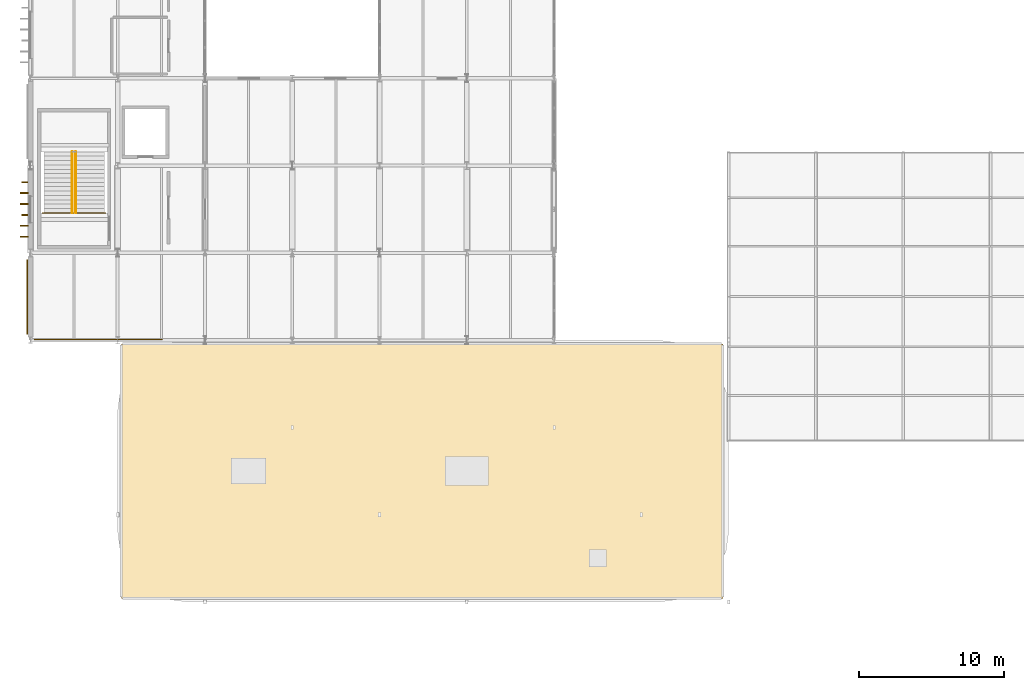
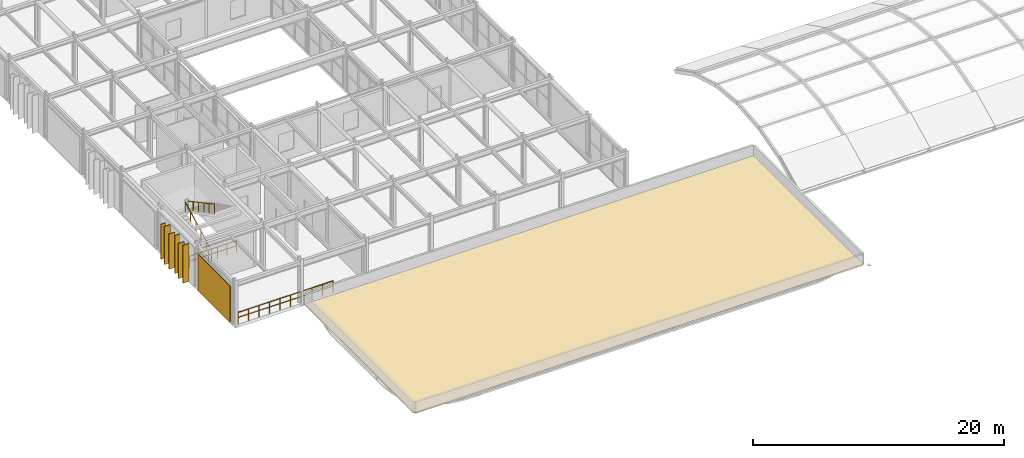
# One storey, part 72 of 84: 7 coverings, 4 railings, 1 shading device.
"""IFC4 building model written with IfcOpenShell, lengths in metres."""

from ifc_helpers import new_model, si_unit, direction, frame, origin, origin_2d, place, context, subcontext, project, spatial, polyline, rectangle, circle, outline, extrude, material, layer, layer_set, type_object, element, save


model = new_model("IFC4")

# Units and contexts
model_context = context("Model", 3, precision=1e-05, world=origin(), true_north=direction((0.0, 1.0)))
body_context = subcontext(model_context, "Body", "Model", "MODEL_VIEW")
ifc_project = project(units=[si_unit("LENGTHUNIT", "METRE"), si_unit("AREAUNIT", "SQUARE_METRE"), si_unit("VOLUMEUNIT", "CUBIC_METRE"), si_unit("PLANEANGLEUNIT", "RADIAN"), si_unit("MASSUNIT", "GRAM", prefix="KILO")], contexts=[model_context])

# Site, building, storey
site_placement = place(None, origin())
site = spatial("IfcSite", under=ifc_project, at=site_placement, CompositionType="ELEMENT")
building_placement = place(site_placement, origin())
building = spatial("IfcBuilding", under=site, at=building_placement, Name="Varnakota Square Police Headquarters", CompositionType="ELEMENT")
storey_placement = place(building_placement, frame((0.0, 0.0, 13.5)))
storey = spatial("IfcBuildingStorey", under=building, at=storey_placement, Name="L03", CompositionType="ELEMENT", Elevation=13.5)

# Coverings
ifc_material_1 = material(Name="White Anodised Aluminium Vertical Facade Blade 420", Category="aluminium")
ifc_layer_1 = layer(ifc_material_1, 0.0849609375, Name="White Anodised Aluminium Vertical Facade Blade 420")
ifc_layer_set_1 = layer_set([ifc_layer_1], Name="White Anodised Aluminium Vertical Facade Blade 420")
covering_type_1 = type_object("IfcCoveringType", Name="COV-FIN-420", PredefinedType="CLADDING", material=ifc_layer_set_1)
covering_1_placement = place(storey_placement, frame((5.625, 29.612548828125, 0.0400390625), z_axis=(0.0, 0.0, 1.0), x_axis=(0.0, 1.0, 0.0)))
element("IfcCovering", 1, at=covering_1_placement, inside=storey, type_object=covering_type_1, Name="Vertical aluminium facade fin FIN-0980", PredefinedType="CLADDING", context=body_context, shape_type="SweptSolid", body=[
    extrude(rectangle(XDim=0.0849609375, YDim=0.419921875, at=origin_2d()), origin(), (0.0, 0.0, 1.0), 3.70361328125),
])
covering_2_placement = place(storey_placement, frame((5.625, 31.862548828125, 0.0400390625), z_axis=(0.0, 0.0, 1.0), x_axis=(0.0, 1.0, 0.0)))
element("IfcCovering", 2, at=covering_2_placement, inside=storey, type_object=covering_type_1, Name="Vertical aluminium facade fin FIN-0983", PredefinedType="CLADDING", context=body_context, shape_type="SweptSolid", body=[
    extrude(rectangle(XDim=0.0849609375, YDim=0.419921875, at=origin_2d()), origin(), (0.0, 0.0, 1.0), 3.423583984375),
])
ifc_material_2 = material(Name="White Anodised Aluminium Vertical Facade Blade 550", Category="aluminium")
ifc_layer_2 = layer(ifc_material_2, 0.0849609375, Name="White Anodised Aluminium Vertical Facade Blade 550")
ifc_layer_set_2 = layer_set([ifc_layer_2], Name="White Anodised Aluminium Vertical Facade Blade 550")
covering_type_2 = type_object("IfcCoveringType", Name="COV-FIN-550", PredefinedType="CLADDING", material=ifc_layer_set_2)
covering_3_placement = place(storey_placement, frame((5.56005859375, 28.112548828125, 0.0400390625), z_axis=(0.0, 0.0, 1.0), x_axis=(0.0, 1.0, 0.0)))
element("IfcCovering", 3, at=covering_3_placement, inside=storey, type_object=covering_type_2, Name="Vertical aluminium facade fin FIN-0978", PredefinedType="CLADDING", context=body_context, shape_type="SweptSolid", body=[
    extrude(rectangle(XDim=0.0849609375, YDim=0.550048828125, at=origin_2d()), origin(), (0.0, 0.0, 1.0), 3.70361328125),
])
for number, where, z_axis, x_axis, name in (
    (4, (5.56005859375, 28.862548828125, 0.0400390625), (0.0, 0.0, 1.0), (0.0, 1.0, 0.0), "Vertical aluminium facade fin FIN-0979"),
    (5, (5.56005859375, 30.362548828125, 0.0400390625), (0.0, 0.0, 1.0), (0.0, 1.0, 0.0), "Vertical aluminium facade fin FIN-0981"),
):
    element("IfcCovering", number, at=place(storey_placement, frame(where, z_axis=z_axis, x_axis=x_axis)), inside=storey, type_object=covering_type_2, Name=name, PredefinedType="CLADDING", context=body_context, shape_type="SweptSolid", body=[
        extrude(rectangle(XDim=0.0849609375, YDim=0.550048828125, at=origin_2d()), origin(), (0.0, 0.0, 1.0), 3.423583984375),
    ])
covering_4_placement = place(storey_placement, frame((5.56005859375, 31.112548828125, 0.0400390625), z_axis=(0.0, 0.0, 1.0), x_axis=(0.0, 1.0, 0.0)))
element("IfcCovering", 6, at=covering_4_placement, inside=storey, type_object=covering_type_2, Name="Vertical aluminium facade fin FIN-0982", PredefinedType="CLADDING", context=body_context, shape_type="SweptSolid", body=[
    extrude(rectangle(XDim=0.0849609375, YDim=0.550048828125, at=origin_2d()), origin(), (0.0, 0.0, 1.0), 3.70361328125),
])
ifc_material_3 = material(Name="High-Albedo White TPO Waterproofing Membrane")
ifc_layer_3 = layer(ifc_material_3, 0.0400390625, Name="High-Albedo White TPO Waterproofing Membrane")
ifc_layer_set_3 = layer_set([ifc_layer_3], Name="High-Albedo White TPO Waterproofing Membrane")
covering_type_3 = type_object("IfcCoveringType", Name="COV-RF-MEM", PredefinedType="ROOFING", material=ifc_layer_set_3)
covering_5_placement = place(storey_placement, origin())
element("IfcCovering", 7, at=covering_5_placement, inside=storey, type_object=covering_type_3, Name="Roof waterproofing membrane RF-L03-V4", PredefinedType="ROOFING", context=body_context, shape_type="SweptSolid", body=[
    extrude(outline(polyline([(12.25, 3.25), (53.60009765625, 3.25), (53.60009765625, 20.75), (12.25, 20.75), (12.25, 3.25)])), origin(), (0.0, 0.0, 1.0), 0.0400390625),
])

# Railings
ifc_material_4 = material(Name="Galvanised Powder-Coated Steel Guardrail", Category="steel")
railing_type_1 = type_object("IfcRailingType", Name="RL-BAL-1150", PredefinedType="BALUSTRADE", material=ifc_material_4)
railing_1_placement = place(storey_placement, frame((15.028076171875, 21.050048828125, 0.0)))
element("IfcRailing", 8, at=railing_1_placement, inside=storey, type_object=railing_type_1, Name="Perimeter edge safety guard GD-AUTO-L03-076", PredefinedType="BALUSTRADE", context=body_context, shape_type="SweptSolid", body=[
    extrude(circle(Radius=0.02392578125, at=origin_2d()), frame((0.0, 0.0, 1.1259765625), z_axis=(-1.0, 0.0, 0.0), x_axis=(0.0, -1.0, 0.0)), (0.0, 0.0, 1.0), 8.75927734375),
    extrude(circle(Radius=0.01806640625, at=origin_2d()), frame((0.0, 0.0, 0.63232421875), z_axis=(-1.0, 0.0, 0.0), x_axis=(0.0, -1.0, 0.0)), (0.0, 0.0, 1.0), 8.75927734375),
    extrude(circle(Radius=0.02099609375, at=origin_2d()), origin(), (0.0, 0.0, 1.0), 1.101806640625),
    extrude(circle(Radius=0.02099609375, at=origin_2d()), frame((-0.97314453125, 0.0, 0.0)), (0.0, 0.0, 1.0), 1.101806640625),
    extrude(circle(Radius=0.02099609375, at=origin_2d()), frame((-1.946533203125, 0.0, 0.0)), (0.0, 0.0, 1.0), 1.101806640625),
    extrude(circle(Radius=0.02099609375, at=origin_2d()), frame((-2.919677734375, 0.0, 0.0)), (0.0, 0.0, 1.0), 1.101806640625),
    extrude(circle(Radius=0.02099609375, at=origin_2d()), frame((-3.89306640625, 0.0, 0.0)), (0.0, 0.0, 1.0), 1.101806640625),
    extrude(circle(Radius=0.02099609375, at=origin_2d()), frame((-4.8662109375, 0.0, 0.0)), (0.0, 0.0, 1.0), 1.101806640625),
    extrude(circle(Radius=0.02099609375, at=origin_2d()), frame((-5.839599609375, 0.0, 0.0)), (0.0, 0.0, 1.0), 1.101806640625),
    extrude(circle(Radius=0.02099609375, at=origin_2d()), frame((-6.812744140625, 0.0, 0.0)), (0.0, 0.0, 1.0), 1.101806640625),
    extrude(circle(Radius=0.02099609375, at=origin_2d()), frame((-7.7861328125, 0.0, 0.0)), (0.0, 0.0, 1.0), 1.101806640625),
    extrude(circle(Radius=0.02099609375, at=origin_2d()), frame((-8.75927734375, 0.0, 0.0)), (0.0, 0.0, 1.0), 1.101806640625),
])
ifc_material_5 = material(Name="Brushed Stainless Steel Tubular Handrail", Category="steel")
railing_type_2 = type_object("IfcRailingType", Name="RL-HND-920", PredefinedType="HANDRAIL", material=ifc_material_5)
railing_2_placement = place(storey_placement, frame((8.8798828125, 29.75, 0.0)))
element("IfcRailing", 9, at=railing_2_placement, inside=storey, type_object=railing_type_2, Name="Stair flight handrail HR-L03-049", PredefinedType="HANDRAIL", context=body_context, shape_type="SweptSolid", body=[
    extrude(circle(Radius=0.02392578125, at=origin_2d()), frame((0.0, 0.0, 0.89599609375), z_axis=(0.0, 0.881511956786, 0.472161699043), x_axis=(-1.0, 0.0, 0.0)), (0.0, 0.0, 1.0), 4.765380859375),
    extrude(circle(Radius=0.02099609375, at=origin_2d()), origin(), (0.0, 0.0, 1.0), 0.871826171875),
    extrude(circle(Radius=0.02099609375, at=origin_2d()), frame((0.0, 0.840087890625, 0.449951171875)), (0.0, 0.0, 1.0), 0.871826171875),
    extrude(circle(Radius=0.02099609375, at=origin_2d()), frame((0.0, 1.68017578125, 0.89990234375)), (0.0, 0.0, 1.0), 0.871826171875),
    extrude(circle(Radius=0.02099609375, at=origin_2d()), frame((0.0, 2.5205078125, 1.35009765625)), (0.0, 0.0, 1.0), 0.871826171875),
    extrude(circle(Radius=0.02099609375, at=origin_2d()), frame((0.0, 3.360595703125, 1.800048828125)), (0.0, 0.0, 1.0), 0.871826171875),
    extrude(circle(Radius=0.02099609375, at=origin_2d()), frame((0.0, 4.20068359375, 2.25)), (0.0, 0.0, 1.0), 0.871826171875),
])
railing_3_placement = place(storey_placement, frame((9.1201171875, 33.95068359375, 2.25)))
element("IfcRailing", 10, at=railing_3_placement, inside=storey, type_object=railing_type_2, Name="Stair flight handrail HR-L03-050", PredefinedType="HANDRAIL", context=body_context, shape_type="SweptSolid", body=[
    extrude(circle(Radius=0.02392578125, at=origin_2d()), frame((0.0, 0.0, 0.89599609375), z_axis=(0.0, -0.881511956786, 0.472161699043), x_axis=(1.0, 0.0, 0.0)), (0.0, 0.0, 1.0), 4.765380859375),
    extrude(circle(Radius=0.02099609375, at=origin_2d()), origin(), (0.0, 0.0, 1.0), 0.871826171875),
    extrude(circle(Radius=0.02099609375, at=origin_2d()), frame((0.0, -0.840087890625, 0.449951171875)), (0.0, 0.0, 1.0), 0.871826171875),
    extrude(circle(Radius=0.02099609375, at=origin_2d()), frame((0.0, -1.68017578125, 0.89990234375)), (0.0, 0.0, 1.0), 0.871826171875),
    extrude(circle(Radius=0.02099609375, at=origin_2d()), frame((0.0, -2.5205078125, 1.35009765625)), (0.0, 0.0, 1.0), 0.871826171875),
    extrude(circle(Radius=0.02099609375, at=origin_2d()), frame((0.0, -3.360595703125, 1.800048828125)), (0.0, 0.0, 1.0), 0.871826171875),
    extrude(circle(Radius=0.02099609375, at=origin_2d()), frame((0.0, -4.20068359375, 2.25)), (0.0, 0.0, 1.0), 0.871826171875),
])
ifc_material_6 = material(Name="Laminated Glass and Stainless Steel Balustrade", Category="steel")
railing_type_3 = type_object("IfcRailingType", Name="RL-INT-1150", PredefinedType="BALUSTRADE", material=ifc_material_6)
railing_4_placement = place(storey_placement, frame((6.840087890625, 29.75, 0.0)))
element("IfcRailing", 11, at=railing_4_placement, inside=storey, type_object=railing_type_3, Name="Stair well safety guard C4 L03", PredefinedType="BALUSTRADE", context=body_context, shape_type="SweptSolid", body=[
    extrude(circle(Radius=0.02392578125, at=origin_2d()), frame((0.0, 0.0, 1.1259765625), z_axis=(1.0, 0.0, 0.0), x_axis=(0.0, 1.0, 0.0)), (0.0, 0.0, 1.0), 4.31982421875),
    extrude(circle(Radius=0.01806640625, at=origin_2d()), frame((0.0, 0.0, 0.63232421875), z_axis=(1.0, 0.0, 0.0), x_axis=(0.0, 1.0, 0.0)), (0.0, 0.0, 1.0), 4.31982421875),
    extrude(circle(Radius=0.02099609375, at=origin_2d()), origin(), (0.0, 0.0, 1.0), 1.101806640625),
    extrude(circle(Radius=0.02099609375, at=origin_2d()), frame((0.864013671875, 0.0, 0.0)), (0.0, 0.0, 1.0), 1.101806640625),
    extrude(circle(Radius=0.02099609375, at=origin_2d()), frame((1.72802734375, 0.0, 0.0)), (0.0, 0.0, 1.0), 1.101806640625),
    extrude(circle(Radius=0.02099609375, at=origin_2d()), frame((2.591796875, 0.0, 0.0)), (0.0, 0.0, 1.0), 1.101806640625),
    extrude(circle(Radius=0.02099609375, at=origin_2d()), frame((3.455810546875, 0.0, 0.0)), (0.0, 0.0, 1.0), 1.101806640625),
    extrude(circle(Radius=0.02099609375, at=origin_2d()), frame((4.31982421875, 0.0, 0.0)), (0.0, 0.0, 1.0), 1.101806640625),
])

# Shading device
ifc_material_7 = material(Name="Perforated Sandstone-Toned GRC Jali Screen", Category="masonry")
ifc_layer_4 = layer(ifc_material_7, 0.080078125, Name="Perforated Sandstone-Toned GRC Jali Screen")
ifc_layer_set_4 = layer_set([ifc_layer_4], Name="Perforated Sandstone-Toned GRC Jali Screen")
shading_device_type = type_object("IfcShadingDeviceType", Name="SHD-SCR-GRC", PredefinedType="USERDEFINED", material=ifc_layer_set_4)
shading_device_placement = place(storey_placement, frame((5.7919921875, 23.97509765625, 0.14990234375), z_axis=(0.0, 0.0, 1.0), x_axis=(0.0, 1.0, 0.0)))
element("IfcShadingDevice", 12, at=shading_device_placement, inside=storey, type_object=shading_device_type, Name="Perforated GRC solar screen SCR-013", ObjectType="SOLAR SCREEN", PredefinedType="USERDEFINED", context=body_context, shape_type="SweptSolid", body=[
    extrude(rectangle(XDim=5.14208984375, YDim=0.080078125, at=origin_2d()), origin(), (0.0, 0.0, 1.0), 3.483642578125),
])

save(model, "model.ifc")
